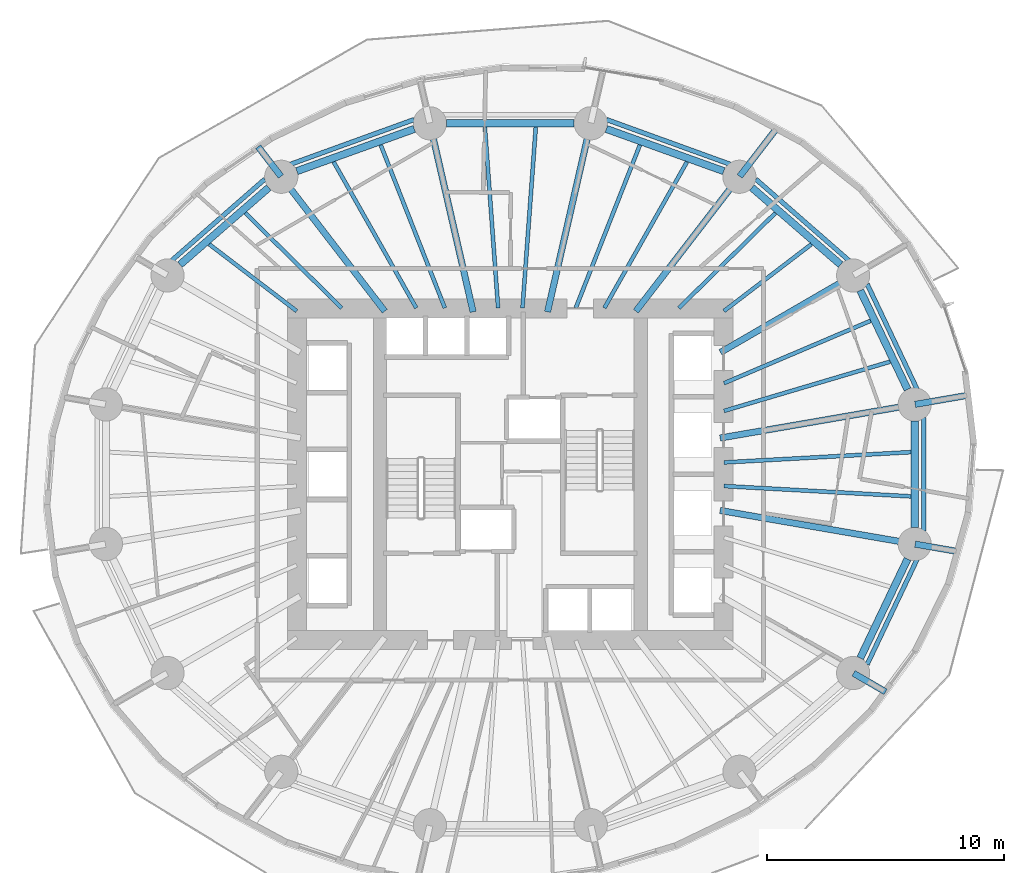
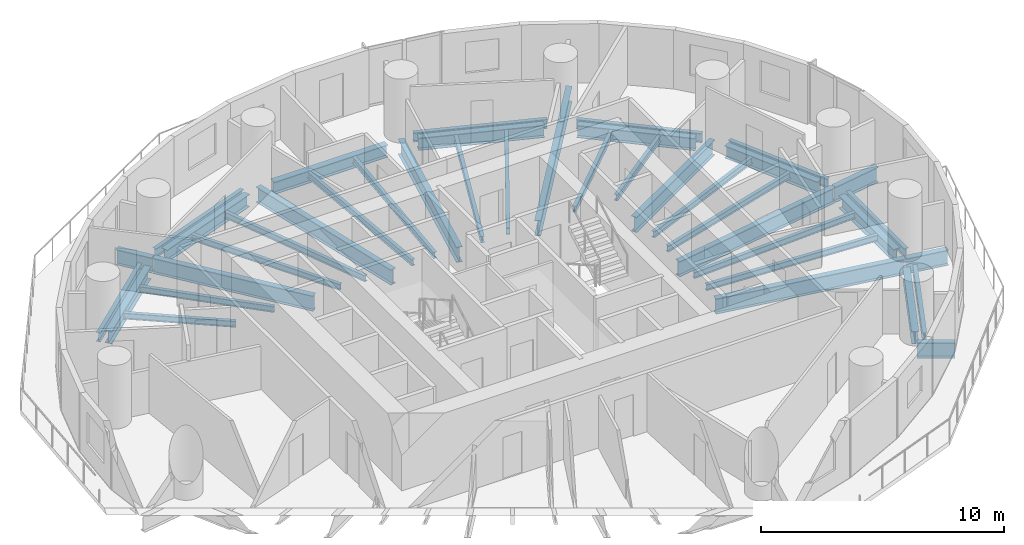
# One storey, part 2 of 13: 41 beams.
"""IFC4 building model written with IfcOpenShell, lengths in metres."""

from ifc_helpers import new_model, si_unit, direction, frame, origin, origin_2d, place, context, subcontext, project, spatial, i_section, extrude, material, material_profile, profile_set, type_object, element, save


model = new_model("IFC4")

# Units and contexts
model_context = context("Model", 3, precision=1e-05, world=origin(), true_north=direction((0.0, 1.0)))
body_context = subcontext(model_context, "Body", "Model", "MODEL_VIEW")
ifc_project = project(units=[si_unit("LENGTHUNIT", "METRE"), si_unit("AREAUNIT", "SQUARE_METRE"), si_unit("VOLUMEUNIT", "CUBIC_METRE"), si_unit("PLANEANGLEUNIT", "RADIAN"), si_unit("MASSUNIT", "GRAM", prefix="KILO")], contexts=[model_context])

# Site, building, storey
site_placement = place(None, origin())
site = spatial("IfcSite", under=ifc_project, at=site_placement, CompositionType="ELEMENT")
building_placement = place(site_placement, origin())
building = spatial("IfcBuilding", under=site, at=building_placement, Name="Veldorim Arch Residences", CompositionType="ELEMENT")
storey_placement = place(building_placement, frame((0.0, 0.0, 53.60009765625)))
storey = spatial("IfcBuildingStorey", under=building, at=storey_placement, Name="L15", CompositionType="ELEMENT", Elevation=53.60009765625)

# Beams
ifc_material_1 = material(Name="Steel S355", Category="steel")
ifc_material_profile_1 = material_profile(ifc_material_1, i_section(OverallWidth=0.30712890625, OverallDepth=0.6201171875, WebThickness=0.01416015625, FlangeThickness=0.023681640625, at=origin_2d()), Name="UB610x305x179")
ifc_profile_set_1 = profile_set([ifc_material_profile_1], Name="Steel S355")
beam_type_1 = type_object("IfcBeamType", Name="Structural Steel Beam UB610x305x179", PredefinedType="BEAM", material=ifc_profile_set_1)
beam_1_placement = place(storey_placement, frame((48.76416015625, 27.57763671875, -0.55029296875), z_axis=(-0.430776422552, 0.902458682585, 0.0), x_axis=(-0.902458682585, -0.430776422552, 0.0)))
element("IfcBeam", 1, at=beam_1_placement, inside=storey, type_object=beam_type_1, Name="L15 perimeter ring tie beam 01", PredefinedType="BEAM", context=body_context, shape_type="SweptSolid", body=[
    extrude(i_section(OverallWidth=0.30712890625, OverallDepth=0.6201171875, WebThickness=0.01416015625, FlangeThickness=0.023681640625, at=origin_2d()), origin(), (0.0, 0.0, 1.0), 4.63134765625),
])
beam_2_placement = place(storey_placement, frame((45.93896484375, 32.847900390625, -0.55029296875), z_axis=(-0.755264734985, 0.655419850239, 0.0), x_axis=(-0.655419850239, -0.755264734985, 0.0)))
element("IfcBeam", 2, at=beam_2_placement, inside=storey, type_object=beam_type_1, Name="L15 perimeter ring tie beam 02", PredefinedType="BEAM", context=body_context, shape_type="SweptSolid", body=[
    extrude(i_section(OverallWidth=0.30712890625, OverallDepth=0.6201171875, WebThickness=0.01416015625, FlangeThickness=0.023681640625, at=origin_2d()), origin(), (0.0, 0.0, 1.0), 4.956298828125),
])
beam_3_placement = place(storey_placement, frame((41.00830078125, 36.7919921875, -0.55029296875), z_axis=(-0.941058113369, 0.338244922006, 0.0), x_axis=(-0.338244922006, -0.941058113369, 0.0)))
element("IfcBeam", 3, at=beam_3_placement, inside=storey, type_object=beam_type_1, Name="L15 perimeter ring tie beam 03", PredefinedType="BEAM", context=body_context, shape_type="SweptSolid", body=[
    extrude(i_section(OverallWidth=0.30712890625, OverallDepth=0.6201171875, WebThickness=0.01416015625, FlangeThickness=0.023681640625, at=origin_2d()), origin(), (0.0, 0.0, 1.0), 5.265380859375),
])
beam_4_placement = place(storey_placement, frame((34.694580078125, 38.809814453125, -0.55029296875), z_axis=(-1.0, 0.0, 0.0), x_axis=(0.0, -1.0, 0.0)))
element("IfcBeam", 4, at=beam_4_placement, inside=storey, type_object=beam_type_1, Name="L15 perimeter ring tie beam 04", PredefinedType="BEAM", context=body_context, shape_type="SweptSolid", body=[
    extrude(i_section(OverallWidth=0.30712890625, OverallDepth=0.6201171875, WebThickness=0.01416015625, FlangeThickness=0.023681640625, at=origin_2d()), origin(), (0.0, 0.0, 1.0), 5.38916015625),
])
beam_5_placement = place(storey_placement, frame((27.94677734375, 38.572998046875, -0.55029296875), z_axis=(-0.941058113369, -0.338244922006, 0.0), x_axis=(0.338244922006, -0.941058113369, 0.0)))
element("IfcBeam", 5, at=beam_5_placement, inside=storey, type_object=beam_type_1, Name="L15 perimeter ring tie beam 05", PredefinedType="BEAM", context=body_context, shape_type="SweptSolid", body=[
    extrude(i_section(OverallWidth=0.30712890625, OverallDepth=0.6201171875, WebThickness=0.01416015625, FlangeThickness=0.023681640625, at=origin_2d()), origin(), (0.0, 0.0, 1.0), 5.265380859375),
])
beam_6_placement = place(storey_placement, frame((21.804443359375, 36.096435546875, -0.55029296875), z_axis=(-0.755264734985, -0.655419850239, 0.0), x_axis=(0.655419850239, -0.755264734985, 0.0)))
element("IfcBeam", 6, at=beam_6_placement, inside=storey, type_object=beam_type_1, Name="L15 perimeter ring tie beam 06", PredefinedType="BEAM", context=body_context, shape_type="SweptSolid", body=[
    extrude(i_section(OverallWidth=0.30712890625, OverallDepth=0.6201171875, WebThickness=0.01416015625, FlangeThickness=0.023681640625, at=origin_2d()), origin(), (0.0, 0.0, 1.0), 4.956298828125),
])
beam_7_placement = place(storey_placement, frame((46.76904296875, 16.24267578125, -0.55029296875), z_axis=(0.430776422552, 0.902458682585, 0.0), x_axis=(-0.902458682585, 0.430776422552, 0.0)))
element("IfcBeam", 7, at=beam_7_placement, inside=storey, type_object=beam_type_1, Name="L15 perimeter ring tie beam 15", PredefinedType="BEAM", context=body_context, shape_type="SweptSolid", body=[
    extrude(i_section(OverallWidth=0.30712890625, OverallDepth=0.6201171875, WebThickness=0.01416015625, FlangeThickness=0.023681640625, at=origin_2d()), origin(), (0.0, 0.0, 1.0), 4.63134765625),
])
beam_8_placement = place(storey_placement, frame((49.065673828125, 21.754150390625, -0.55029296875), z_axis=(0.0, 1.0, 0.0), x_axis=(-1.0, 0.0, 0.0)))
element("IfcBeam", 8, at=beam_8_placement, inside=storey, type_object=beam_type_1, Name="L15 perimeter ring tie beam 16", PredefinedType="BEAM", context=body_context, shape_type="SweptSolid", body=[
    extrude(i_section(OverallWidth=0.30712890625, OverallDepth=0.6201171875, WebThickness=0.01416015625, FlangeThickness=0.023681640625, at=origin_2d()), origin(), (0.0, 0.0, 1.0), 4.49169921875),
])
ifc_material_2 = material(Name="Steel S355", Category="steel")
ifc_material_profile_2 = material_profile(ifc_material_2, i_section(OverallWidth=0.26806640625, OverallDepth=0.769775390625, WebThickness=0.015625, FlangeThickness=0.025390625, at=origin_2d()), Name="UB762x267x197")
ifc_profile_set_2 = profile_set([ifc_material_profile_2], Name="Steel S355")
beam_type_2 = type_object("IfcBeamType", Name="Structural Steel GIRDER UB762x267x197", PredefinedType="USERDEFINED", material=ifc_profile_set_2)
beam_9_placement = place(storey_placement, frame((40.852294921875, 25.528076171875, -0.625), z_axis=(0.985427548249, 0.170095699979, 0.0), x_axis=(-0.170095699979, 0.985427548249, 0.0)))
element("IfcBeam", 9, at=beam_9_placement, inside=storey, type_object=beam_type_2, Name="L15 radial floor girder 01", ObjectType="GIRDER", PredefinedType="USERDEFINED", context=body_context, shape_type="SweptSolid", body=[
    extrude(i_section(OverallWidth=0.26806640625, OverallDepth=0.769775390625, WebThickness=0.015625, FlangeThickness=0.025390625, at=origin_2d()), origin(), (0.0, 0.0, 1.0), 8.314697265625),
])
beam_10_placement = place(storey_placement, frame((49.08544921875, 26.94921875, -0.625), z_axis=(0.985413878658, 0.170174874021, 0.0), x_axis=(-0.170174874021, 0.985413878658, 0.0)))
element("IfcBeam", 10, at=beam_10_placement, inside=storey, type_object=beam_type_2, Name="L15 radial edge cantilever girder 01", ObjectType="GIRDER", PredefinedType="USERDEFINED", context=body_context, shape_type="SweptSolid", body=[
    extrude(i_section(OverallWidth=0.26806640625, OverallDepth=0.769775390625, WebThickness=0.015625, FlangeThickness=0.025390625, at=origin_2d()), origin(), (0.0, 0.0, 1.0), 2.288330078125),
])
beam_11_placement = place(storey_placement, frame((40.8701171875, 29.1435546875, -0.625), z_axis=(0.865088348752, 0.501619525989, 0.0), x_axis=(-0.501619525989, 0.865088348752, 0.0)))
element("IfcBeam", 11, at=beam_11_placement, inside=storey, type_object=beam_type_2, Name="L15 radial floor girder 02", ObjectType="GIRDER", PredefinedType="USERDEFINED", context=body_context, shape_type="SweptSolid", body=[
    extrude(i_section(OverallWidth=0.26806640625, OverallDepth=0.769775390625, WebThickness=0.015625, FlangeThickness=0.025390625, at=origin_2d()), origin(), (0.0, 0.0, 1.0), 6.4501953125),
])
beam_12_placement = place(storey_placement, frame((37.298095703125, 30.881103515625, -0.625), z_axis=(0.610082439157, 0.792337943956, 0.0), x_axis=(-0.792337943956, 0.610082439157, 0.0)))
element("IfcBeam", 12, at=beam_12_placement, inside=storey, type_object=beam_type_2, Name="L15 radial floor girder 03", ObjectType="GIRDER", PredefinedType="USERDEFINED", context=body_context, shape_type="SweptSolid", body=[
    extrude(i_section(OverallWidth=0.26806640625, OverallDepth=0.769775390625, WebThickness=0.015625, FlangeThickness=0.025390625, at=origin_2d()), origin(), (0.0, 0.0, 1.0), 7.14111328125),
])
beam_13_placement = place(storey_placement, frame((41.67919921875, 36.571044921875, -0.625), z_axis=(0.610041651391, 0.792369347948, 0.0), x_axis=(-0.792369347948, 0.610041651391, 0.0)))
element("IfcBeam", 13, at=beam_13_placement, inside=storey, type_object=beam_type_2, Name="L15 radial edge cantilever girder 03", ObjectType="GIRDER", PredefinedType="USERDEFINED", context=body_context, shape_type="SweptSolid", body=[
    extrude(i_section(OverallWidth=0.26806640625, OverallDepth=0.769775390625, WebThickness=0.015625, FlangeThickness=0.025390625, at=origin_2d()), origin(), (0.0, 0.0, 1.0), 2.56689453125),
])
for number, where, z_axis, x_axis, name in (
    (14, (33.571044921875, 30.853759765625, -0.625), (0.223411766201, 0.974724157248, 0.0), (-0.974724157248, 0.223411766201, 0.0), "L15 radial floor girder 04"),
    (15, (30.428955078125, 30.853759765625, -0.625), (-0.223411766201, 0.974724157248, 0.0), (-0.974724157248, -0.223411766201, 0.0), "L15 radial floor girder 05"),
):
    element("IfcBeam", number, at=place(storey_placement, frame(where, z_axis=z_axis, x_axis=x_axis)), inside=storey, type_object=beam_type_2, Name=name, ObjectType="GIRDER", PredefinedType="USERDEFINED", context=body_context, shape_type="SweptSolid", body=[
        extrude(i_section(OverallWidth=0.26806640625, OverallDepth=0.769775390625, WebThickness=0.015625, FlangeThickness=0.025390625, at=origin_2d()), origin(), (0.0, 0.0, 1.0), 8.142333984375),
    ])
beam_14_placement = place(storey_placement, frame((26.701904296875, 30.881103515625, -0.625), z_axis=(-0.610082439157, 0.792337943956, 0.0), x_axis=(-0.792337943956, -0.610082439157, 0.0)))
element("IfcBeam", 16, at=beam_14_placement, inside=storey, type_object=beam_type_2, Name="L15 radial floor girder 06", ObjectType="GIRDER", PredefinedType="USERDEFINED", context=body_context, shape_type="SweptSolid", body=[
    extrude(i_section(OverallWidth=0.26806640625, OverallDepth=0.769775390625, WebThickness=0.015625, FlangeThickness=0.025390625, at=origin_2d()), origin(), (0.0, 0.0, 1.0), 7.14111328125),
])
beam_15_placement = place(storey_placement, frame((22.32080078125, 36.571044921875, -0.625), z_axis=(-0.610061594732, 0.792353993259, 0.0), x_axis=(-0.792353993259, -0.610061594732, 0.0)))
element("IfcBeam", 17, at=beam_15_placement, inside=storey, type_object=beam_type_2, Name="L15 radial edge cantilever girder 06", ObjectType="GIRDER", PredefinedType="USERDEFINED", context=body_context, shape_type="SweptSolid", body=[
    extrude(i_section(OverallWidth=0.26806640625, OverallDepth=0.769775390625, WebThickness=0.015625, FlangeThickness=0.025390625, at=origin_2d()), origin(), (0.0, 0.0, 1.0), 1.580322265625),
])
beam_16_placement = place(storey_placement, frame((46.48486328125, 15.600830078125, -0.625), z_axis=(0.865069192435, -0.50165256134, 0.0), x_axis=(0.50165256134, 0.865069192435, 0.0)))
element("IfcBeam", 18, at=beam_16_placement, inside=storey, type_object=beam_type_2, Name="L15 radial edge cantilever girder 15", ObjectType="GIRDER", PredefinedType="USERDEFINED", context=body_context, shape_type="SweptSolid", body=[
    extrude(i_section(OverallWidth=0.26806640625, OverallDepth=0.769775390625, WebThickness=0.015625, FlangeThickness=0.025390625, at=origin_2d()), origin(), (0.0, 0.0, 1.0), 1.561279296875),
])
beam_17_placement = place(storey_placement, frame((40.852294921875, 22.471923828125, -0.625), z_axis=(0.985427548249, -0.170095699979, 0.0), x_axis=(0.170095699979, 0.985427548249, 0.0)))
element("IfcBeam", 19, at=beam_17_placement, inside=storey, type_object=beam_type_2, Name="L15 radial floor girder 16", ObjectType="GIRDER", PredefinedType="USERDEFINED", context=body_context, shape_type="SweptSolid", body=[
    extrude(i_section(OverallWidth=0.26806640625, OverallDepth=0.769775390625, WebThickness=0.015625, FlangeThickness=0.025390625, at=origin_2d()), origin(), (0.0, 0.0, 1.0), 8.314697265625),
])
beam_18_placement = place(storey_placement, frame((49.08544921875, 21.05078125, -0.625), z_axis=(0.985429411719, -0.170084903857, 0.0), x_axis=(0.170084903857, 0.985429411719, 0.0)))
element("IfcBeam", 20, at=beam_18_placement, inside=storey, type_object=beam_type_2, Name="L15 radial edge cantilever girder 16", ObjectType="GIRDER", PredefinedType="USERDEFINED", context=body_context, shape_type="SweptSolid", body=[
    extrude(i_section(OverallWidth=0.26806640625, OverallDepth=0.769775390625, WebThickness=0.015625, FlangeThickness=0.025390625, at=origin_2d()), origin(), (0.0, 0.0, 1.0), 1.83740234375),
])
ifc_material_3 = material(Name="Steel S355", Category="steel")
ifc_material_profile_3 = material_profile(ifc_material_3, i_section(OverallWidth=0.165771484375, OverallDepth=0.306640625, WebThickness=0.006591796875, FlangeThickness=0.01171875, at=origin_2d()), Name="UB305x165x46")
ifc_profile_set_3 = profile_set([ifc_material_profile_3], Name="Steel S355")
beam_type_3 = type_object("IfcBeamType", Name="Structural Steel Joist UB305x165x46", PredefinedType="JOIST", material=ifc_profile_set_3)
beam_19_placement = place(storey_placement, frame((41.019287109375, 26.67333984375, -0.393310546875), z_axis=(0.958766778771, 0.284194060325, 0.0), x_axis=(-0.284194060325, 0.958766778771, 0.0)))
element("IfcBeam", 21, at=beam_19_placement, inside=storey, type_object=beam_type_3, Name="L15 secondary radial floor joist 01-1", PredefinedType="JOIST", context=body_context, shape_type="SweptSolid", body=[
    extrude(i_section(OverallWidth=0.165771484375, OverallDepth=0.306640625, WebThickness=0.006591796875, FlangeThickness=0.01171875, at=origin_2d()), origin(), (0.0, 0.0, 1.0), 7.3115234375),
])
beam_20_placement = place(storey_placement, frame((41.018310546875, 27.84130859375, -0.393310546875), z_axis=(0.920032948668, 0.391841005213, 0.0), x_axis=(-0.391841005213, 0.920032948668, 0.0)))
element("IfcBeam", 22, at=beam_20_placement, inside=storey, type_object=beam_type_3, Name="L15 secondary radial floor joist 01-2", PredefinedType="JOIST", context=body_context, shape_type="SweptSolid", body=[
    extrude(i_section(OverallWidth=0.165771484375, OverallDepth=0.306640625, WebThickness=0.006591796875, FlangeThickness=0.01171875, at=origin_2d()), origin(), (0.0, 0.0, 1.0), 6.723388671875),
])
beam_21_placement = place(storey_placement, frame((41.015869140625, 30.8876953125, -0.393310546875), z_axis=(0.794666431166, 0.607046343517, 0.0), x_axis=(-0.607046343517, 0.794666431166, 0.0)))
element("IfcBeam", 23, at=beam_21_placement, inside=storey, type_object=beam_type_3, Name="L15 secondary radial floor joist 02-1", PredefinedType="JOIST", context=body_context, shape_type="SweptSolid", body=[
    extrude(i_section(OverallWidth=0.165771484375, OverallDepth=0.306640625, WebThickness=0.006591796875, FlangeThickness=0.01171875, at=origin_2d()), origin(), (0.0, 0.0, 1.0), 4.646728515625),
])
beam_22_placement = place(storey_placement, frame((39.114990234375, 31.013916015625, -0.393310546875), z_axis=(0.712129078446, 0.702048556463, 0.0), x_axis=(-0.702048556463, 0.712129078446, 0.0)))
element("IfcBeam", 24, at=beam_22_placement, inside=storey, type_object=beam_type_3, Name="L15 secondary radial floor joist 02-2", PredefinedType="JOIST", context=body_context, shape_type="SweptSolid", body=[
    extrude(i_section(OverallWidth=0.165771484375, OverallDepth=0.306640625, WebThickness=0.006591796875, FlangeThickness=0.01171875, at=origin_2d()), origin(), (0.0, 0.0, 1.0), 5.715576171875),
])
beam_23_placement = place(storey_placement, frame((35.96875, 31.017333984375, -0.393310546875), z_axis=(0.492292335352, 0.870429926274, 0.0), x_axis=(-0.870429926274, 0.492292335352, 0.0)))
element("IfcBeam", 25, at=beam_23_placement, inside=storey, type_object=beam_type_3, Name="L15 secondary radial floor joist 03-1", PredefinedType="JOIST", context=body_context, shape_type="SweptSolid", body=[
    extrude(i_section(OverallWidth=0.165771484375, OverallDepth=0.306640625, WebThickness=0.006591796875, FlangeThickness=0.01171875, at=origin_2d()), origin(), (0.0, 0.0, 1.0), 7.083251953125),
])
beam_24_placement = place(storey_placement, frame((34.762451171875, 31.0185546875, -0.393310546875), z_axis=(0.366229833858, 0.930524426758, 0.0), x_axis=(-0.930524426758, 0.366229833858, 0.0)))
element("IfcBeam", 26, at=beam_24_placement, inside=storey, type_object=beam_type_3, Name="L15 secondary radial floor joist 03-2", PredefinedType="JOIST", context=body_context, shape_type="SweptSolid", body=[
    extrude(i_section(OverallWidth=0.165771484375, OverallDepth=0.306640625, WebThickness=0.006591796875, FlangeThickness=0.01171875, at=origin_2d()), origin(), (0.0, 0.0, 1.0), 7.3896484375),
])
for number, where, z_axis, x_axis, name in (
    (27, (32.514892578125, 31.02001953125, -0.393310546875), (0.073167620373, 0.997319657547, 0.0), (-0.997319657547, 0.073167620373, 0.0), "L15 secondary radial floor joist 04-1"),
    (28, (31.485107421875, 31.02001953125, -0.393310546875), (-0.073167620373, 0.997319657547, 0.0), (-0.997319657547, -0.073167620373, 0.0), "L15 secondary radial floor joist 04-2"),
):
    element("IfcBeam", number, at=place(storey_placement, frame(where, z_axis=z_axis, x_axis=x_axis)), inside=storey, type_object=beam_type_3, Name=name, PredefinedType="JOIST", context=body_context, shape_type="SweptSolid", body=[
        extrude(i_section(OverallWidth=0.165771484375, OverallDepth=0.306640625, WebThickness=0.006591796875, FlangeThickness=0.01171875, at=origin_2d()), origin(), (0.0, 0.0, 1.0), 7.651123046875),
    ])
beam_25_placement = place(storey_placement, frame((29.237548828125, 31.0185546875, -0.393310546875), z_axis=(-0.366229833858, 0.930524426758, 0.0), x_axis=(-0.930524426758, -0.366229833858, 0.0)))
element("IfcBeam", 29, at=beam_25_placement, inside=storey, type_object=beam_type_3, Name="L15 secondary radial floor joist 05-1", PredefinedType="JOIST", context=body_context, shape_type="SweptSolid", body=[
    extrude(i_section(OverallWidth=0.165771484375, OverallDepth=0.306640625, WebThickness=0.006591796875, FlangeThickness=0.01171875, at=origin_2d()), origin(), (0.0, 0.0, 1.0), 7.3896484375),
])
beam_26_placement = place(storey_placement, frame((28.03125, 31.017333984375, -0.393310546875), z_axis=(-0.492292335352, 0.870429926274, 0.0), x_axis=(-0.870429926274, -0.492292335352, 0.0)))
element("IfcBeam", 30, at=beam_26_placement, inside=storey, type_object=beam_type_3, Name="L15 secondary radial floor joist 05-2", PredefinedType="JOIST", context=body_context, shape_type="SweptSolid", body=[
    extrude(i_section(OverallWidth=0.165771484375, OverallDepth=0.306640625, WebThickness=0.006591796875, FlangeThickness=0.01171875, at=origin_2d()), origin(), (0.0, 0.0, 1.0), 7.083251953125),
])
beam_27_placement = place(storey_placement, frame((24.885009765625, 31.013916015625, -0.393310546875), z_axis=(-0.712129078446, 0.702048556463, 0.0), x_axis=(-0.702048556463, -0.712129078446, 0.0)))
element("IfcBeam", 31, at=beam_27_placement, inside=storey, type_object=beam_type_3, Name="L15 secondary radial floor joist 06-1", PredefinedType="JOIST", context=body_context, shape_type="SweptSolid", body=[
    extrude(i_section(OverallWidth=0.165771484375, OverallDepth=0.306640625, WebThickness=0.006591796875, FlangeThickness=0.01171875, at=origin_2d()), origin(), (0.0, 0.0, 1.0), 5.715576171875),
])
beam_28_placement = place(storey_placement, frame((22.984130859375, 30.8876953125, -0.393310546875), z_axis=(-0.794666431166, 0.607046343517, 0.0), x_axis=(-0.607046343517, -0.794666431166, 0.0)))
element("IfcBeam", 32, at=beam_28_placement, inside=storey, type_object=beam_type_3, Name="L15 secondary radial floor joist 06-2", PredefinedType="JOIST", context=body_context, shape_type="SweptSolid", body=[
    extrude(i_section(OverallWidth=0.165771484375, OverallDepth=0.306640625, WebThickness=0.006591796875, FlangeThickness=0.01171875, at=origin_2d()), origin(), (0.0, 0.0, 1.0), 4.646728515625),
])
for number, where, z_axis, x_axis, name in (
    (33, (41.02001953125, 23.501708984375, -0.393310546875), (0.998478371109, -0.055144740699, 0.0), (0.055144740699, 0.998478371109, 0.0), "L15 secondary radial floor joist 16-1"),
    (34, (41.02001953125, 24.498291015625, -0.393310546875), (0.998478371109, 0.055144740699, 0.0), (-0.055144740699, 0.998478371109, 0.0), "L15 secondary radial floor joist 16-2"),
):
    element("IfcBeam", number, at=place(storey_placement, frame(where, z_axis=z_axis, x_axis=x_axis)), inside=storey, type_object=beam_type_3, Name=name, PredefinedType="JOIST", context=body_context, shape_type="SweptSolid", body=[
        extrude(i_section(OverallWidth=0.165771484375, OverallDepth=0.306640625, WebThickness=0.006591796875, FlangeThickness=0.01171875, at=origin_2d()), origin(), (0.0, 0.0, 1.0), 7.898193359375),
    ])
ifc_material_4 = material(Name="Steel S355", Category="steel")
ifc_material_profile_4 = material_profile(ifc_material_4, i_section(OverallWidth=0.19140625, OverallDepth=0.4599609375, WebThickness=0.010009765625, FlangeThickness=0.01611328125, at=origin_2d()), Name="UB457x191x82")
ifc_profile_set_4 = profile_set([ifc_material_profile_4], Name="Steel S355")
beam_type_4 = type_object("IfcBeamType", Name="Structural Steel Spandrel UB457x191x82", PredefinedType="SPANDREL", material=ifc_profile_set_4)
beam_29_placement = place(storey_placement, frame((49.176025390625, 27.56689453125, -0.489990234375), z_axis=(-0.428847831425, 0.903376741721, 0.0), x_axis=(-0.903376741721, -0.428847831425, 0.0)))
element("IfcBeam", 35, at=beam_29_placement, inside=storey, type_object=beam_type_4, Name="L15 perimeter chord spandrel beam 01", PredefinedType="SPANDREL", context=body_context, shape_type="SweptSolid", body=[
    extrude(i_section(OverallWidth=0.19140625, OverallDepth=0.4599609375, WebThickness=0.010009765625, FlangeThickness=0.01611328125, at=origin_2d()), origin(), (0.0, 0.0, 1.0), 4.932861328125),
])
beam_30_placement = place(storey_placement, frame((46.332275390625, 32.98486328125, -0.489990234375), z_axis=(-0.75323350982, 0.657753205758, 0.0), x_axis=(-0.657753205758, -0.75323350982, 0.0)))
element("IfcBeam", 36, at=beam_30_placement, inside=storey, type_object=beam_type_4, Name="L15 perimeter chord spandrel beam 02", PredefinedType="SPANDREL", context=body_context, shape_type="SweptSolid", body=[
    extrude(i_section(OverallWidth=0.19140625, OverallDepth=0.4599609375, WebThickness=0.010009765625, FlangeThickness=0.01611328125, at=origin_2d()), origin(), (0.0, 0.0, 1.0), 5.27001953125),
])
for number, where, z_axis, x_axis, name in (
    (37, (41.319580078125, 37.06591796875, -0.489990234375), (-0.940268980555, 0.340432437064, 0.0), (-0.340432437064, -0.940268980555, 0.0), "L15 perimeter chord spandrel beam 03"),
    (38, (27.94140625, 38.970703125, -0.489990234375), (-0.940268980555, -0.340432437064, 0.0), (0.340432437064, -0.940268980555, 0.0), "L15 perimeter chord spandrel beam 05"),
):
    element("IfcBeam", number, at=place(storey_placement, frame(where, z_axis=z_axis, x_axis=x_axis)), inside=storey, type_object=beam_type_4, Name=name, PredefinedType="SPANDREL", context=body_context, shape_type="SweptSolid", body=[
        extrude(i_section(OverallWidth=0.19140625, OverallDepth=0.4599609375, WebThickness=0.010009765625, FlangeThickness=0.01611328125, at=origin_2d()), origin(), (0.0, 0.0, 1.0), 5.59521484375),
    ])
beam_31_placement = place(storey_placement, frame((21.63720703125, 36.451171875, -0.489990234375), z_axis=(-0.75323350982, -0.657753205758, 0.0), x_axis=(0.657753205758, -0.75323350982, 0.0)))
element("IfcBeam", 39, at=beam_31_placement, inside=storey, type_object=beam_type_4, Name="L15 perimeter chord spandrel beam 06", PredefinedType="SPANDREL", context=body_context, shape_type="SweptSolid", body=[
    extrude(i_section(OverallWidth=0.19140625, OverallDepth=0.4599609375, WebThickness=0.010009765625, FlangeThickness=0.01611328125, at=origin_2d()), origin(), (0.0, 0.0, 1.0), 5.27001953125),
])
beam_32_placement = place(storey_placement, frame((47.060546875, 15.976806640625, -0.489990234375), z_axis=(0.428847831425, 0.903376741721, 0.0), x_axis=(-0.903376741721, 0.428847831425, 0.0)))
element("IfcBeam", 40, at=beam_32_placement, inside=storey, type_object=beam_type_4, Name="L15 perimeter chord spandrel beam 15", PredefinedType="SPANDREL", context=body_context, shape_type="SweptSolid", body=[
    extrude(i_section(OverallWidth=0.19140625, OverallDepth=0.4599609375, WebThickness=0.010009765625, FlangeThickness=0.01611328125, at=origin_2d()), origin(), (0.0, 0.0, 1.0), 4.932861328125),
])
beam_33_placement = place(storey_placement, frame((49.440185546875, 21.60546875, -0.489990234375), z_axis=(0.0, 1.0, 0.0), x_axis=(-1.0, 0.0, 0.0)))
element("IfcBeam", 41, at=beam_33_placement, inside=storey, type_object=beam_type_4, Name="L15 perimeter chord spandrel beam 16", PredefinedType="SPANDREL", context=body_context, shape_type="SweptSolid", body=[
    extrude(i_section(OverallWidth=0.19140625, OverallDepth=0.4599609375, WebThickness=0.010009765625, FlangeThickness=0.01611328125, at=origin_2d()), origin(), (0.0, 0.0, 1.0), 4.7890625),
])

save(model, "model.ifc")
